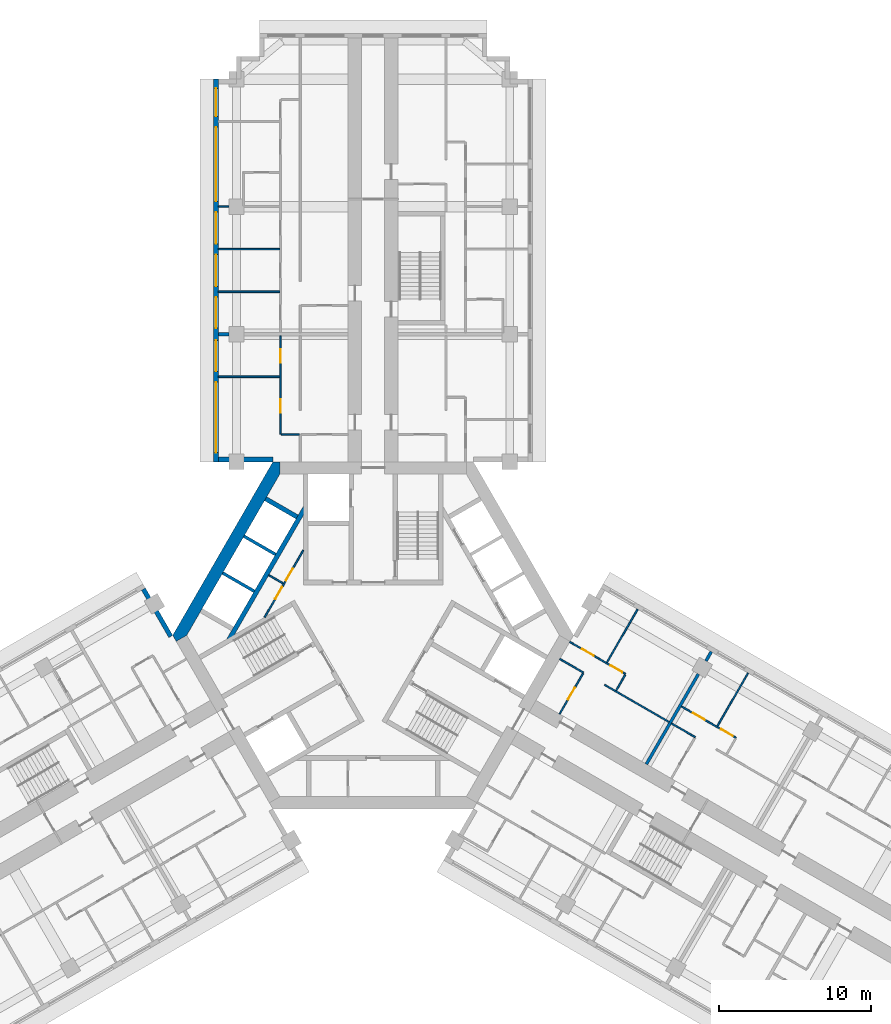
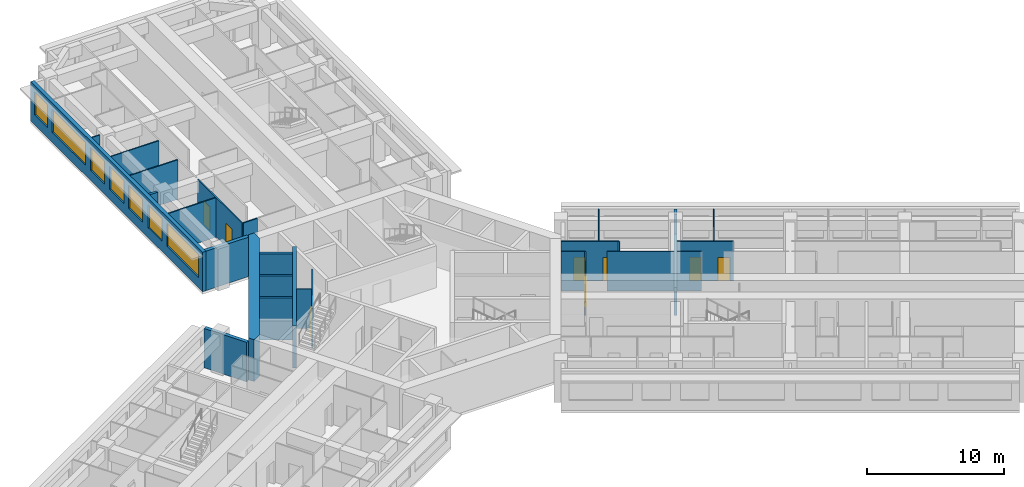
# One storey, part 7 of 13: 28 walls, 9 doors, 7 windows, 16 openings.
"""IFC4 building model written with IfcOpenShell, lengths in metres."""

from ifc_helpers import new_model, si_unit, direction, frame, frame_2d, origin, place, context, subcontext, project, spatial, polyline, rectangle, outline, extrude, material, layer, layer_set, type_object, element, fill, save


model = new_model("IFC4")

# Units and contexts
model_context = context("Model", 3, precision=1e-05, world=origin(), true_north=direction((0.0, 1.0)))
body_context = subcontext(model_context, "Body", "Model", "MODEL_VIEW")
ifc_project = project(units=[si_unit("LENGTHUNIT", "METRE"), si_unit("AREAUNIT", "SQUARE_METRE"), si_unit("VOLUMEUNIT", "CUBIC_METRE"), si_unit("PLANEANGLEUNIT", "RADIAN"), si_unit("MASSUNIT", "GRAM", prefix="KILO")], contexts=[model_context])

# Site, building, storey
site_placement = place(None, origin())
site = spatial("IfcSite", under=ifc_project, at=site_placement, CompositionType="ELEMENT")
building_placement = place(site_placement, origin())
building = spatial("IfcBuilding", under=site, at=building_placement, Name="Impinga Residences", CompositionType="ELEMENT")
storey_placement = place(building_placement, frame((0.0, 0.0, 151.0)))
storey = spatial("IfcBuildingStorey", under=building, at=storey_placement, Name="L37", CompositionType="ELEMENT", Elevation=151.0)

# Wall, openings, doors
ifc_material_1 = material(Name="Concrete blockwork", Category="masonry")
ifc_layer_1 = layer(ifc_material_1, 0.10009765625)
ifc_layer_set_1 = layer_set([ifc_layer_1], Name="CP1 core room partition, blockwork 100")
wall_type_1 = type_object("IfcWallType", Name="CP1 core room partition, blockwork 100", PredefinedType="PARTITIONING", material=ifc_layer_set_1)
wall_1_placement = place(storey_placement, frame((-7.14599609375, 1.185791015625, 0.0), z_axis=(0.0, 0.0, 1.0), x_axis=(0.499975622669, 0.866039477586, 0.0)))
wall_1 = element("IfcWall", 1, at=wall_1_placement, inside=storey, type_object=wall_type_1, Name="Core room partition, blockwork L37:CORE:high:FP", PredefinedType="PARTITIONING", context=body_context, shape_type="SweptSolid", body=[
    extrude(rectangle(XDim=5.092041015625, YDim=0.10009765625, at=frame_2d((2.5458984375, 0.0))), origin(), (0.0, 0.0, 1.0), 3.530029296875),
])
opening_1_placement = place(wall_1_placement, frame((1.39599609375, 0.0, 0.0)))
opening_1 = element("IfcOpeningElement", 2, at=opening_1_placement, cuts=wall_1, Name="Opening D6", PredefinedType="OPENING", context=body_context, shape_type="SweptSolid", body=[
    extrude(rectangle(XDim=0.89990234375, YDim=2.10009765625, at=frame_2d((0.449951171875, 1.050048828125))), frame((0.0, 0.06005859375, 0.0), z_axis=(0.0, -1.0, 0.0), x_axis=(1.0, 0.0, 0.0)), (0.0, 0.0, 1.0), 0.1201171875),
])
opening_2_placement = place(wall_1_placement, frame((2.7958984375, 0.0, 0.0)))
opening_2 = element("IfcOpeningElement", 3, at=opening_2_placement, cuts=wall_1, Name="Opening D6", PredefinedType="OPENING", context=body_context, shape_type="SweptSolid", body=[
    extrude(rectangle(XDim=0.89990234375, YDim=2.10009765625, at=frame_2d((0.449951171875, 1.050048828125))), frame((0.0, 0.06005859375, 0.0), z_axis=(0.0, -1.0, 0.0), x_axis=(1.0, 0.0, 0.0)), (0.0, 0.0, 1.0), 0.1201171875),
])
ifc_material_2 = material(Name="Timber door set", Category="wood")
door_type_1 = type_object("IfcDoorType", Name="D6 riser and store door 900x2100", OperationType="SINGLE_SWING_LEFT", PredefinedType="DOOR", material=ifc_material_2)
door_1_placement = place(opening_1_placement, origin())
door_1 = element("IfcDoor", 4, at=door_1_placement, inside=storey, type_object=door_type_1, Name="Housekeeping store door", OperationType="SINGLE_SWING_LEFT", OverallHeight=2.10009765625, OverallWidth=0.89990234375, PredefinedType="DOOR", context=body_context, shape_type="SweptSolid", body=[
    extrude(rectangle(XDim=0.89990234375, YDim=2.10009765625, at=frame_2d((0.449951171875, 1.050048828125))), frame((0.0, 0.02490234375, 0.0), z_axis=(0.0, -1.0, 0.0), x_axis=(1.0, 0.0, 0.0)), (0.0, 0.0, 1.0), 0.050048828125),
])
fill(opening_1, door_1)
door_2_placement = place(opening_2_placement, origin())
door_2 = element("IfcDoor", 5, at=door_2_placement, inside=storey, type_object=door_type_1, Name="Linen store door", OperationType="SINGLE_SWING_RIGHT", OverallHeight=2.10009765625, OverallWidth=0.89990234375, PredefinedType="DOOR", context=body_context, shape_type="SweptSolid", body=[
    extrude(rectangle(XDim=0.89990234375, YDim=2.10009765625, at=frame_2d((0.449951171875, 1.050048828125))), frame((0.0, 0.02490234375, 0.0), z_axis=(0.0, -1.0, 0.0), x_axis=(1.0, 0.0, 0.0)), (0.0, 0.0, 1.0), 0.050048828125),
])
fill(opening_2, door_2)

# Walls
wall_2_placement = place(storey_placement, frame((-5.916259765625, 3.415771484375, 0.0), z_axis=(0.0, 0.0, 1.0), x_axis=(-0.866008176907, 0.50002983664, 0.0)))
element("IfcWall", 6, at=wall_2_placement, inside=storey, type_object=wall_type_1, Name="Core room partition, blockwork L37:CORE:high:FS", PredefinedType="PARTITIONING", context=body_context, shape_type="SweptSolid", body=[
    extrude(rectangle(XDim=1.10009765625, YDim=0.10009765625, at=frame_2d((0.550048828125, 0.0))), origin(), (0.0, 0.0, 1.0), 3.530029296875),
])
ifc_material_3 = material(Name="Terracotta rainscreen on blockwork", Category="masonry")
ifc_layer_2 = layer(ifc_material_3, 0.300048828125)
ifc_layer_set_2 = layer_set([ifc_layer_2], Name="EW1 external wall, terracotta rainscreen on blockwork 300")
wall_type_2 = type_object("IfcWallType", Name="EW1 external wall, terracotta rainscreen on blockwork 300", PredefinedType="SOLIDWALL", material=ifc_layer_set_2)
wall_3_placement = place(storey_placement, frame((-15.1298828125, 3.042724609375, 0.0), z_axis=(0.0, 0.0, 1.0), x_axis=(0.500012057535, -0.866018442252, 0.0)))
element("IfcWall", 7, at=wall_3_placement, inside=storey, type_object=wall_type_2, Name="External wall EW1 L37", PredefinedType="SOLIDWALL", context=body_context, shape_type="SweptSolid", body=[
    extrude(rectangle(XDim=3.60009765625, YDim=0.300048828125, at=frame_2d((1.800048828125, 0.0))), origin(), (0.0, 0.0, 1.0), 3.530029296875),
])
wall_4_placement = place(storey_placement, frame((-6.60009765625, 11.58154296875, 0.0), z_axis=(0.0, 0.0, 1.0), x_axis=(-1.0, 0.0, 0.0)))
element("IfcWall", 8, at=wall_4_placement, inside=storey, type_object=wall_type_2, Name="External wall EW1 L37", PredefinedType="SOLIDWALL", context=body_context, shape_type="SweptSolid", body=[
    extrude(rectangle(XDim=3.599853515625, YDim=0.300048828125, at=frame_2d((1.7998046875, 0.0))), origin(), (0.0, 0.0, 1.0), 3.530029296875),
])

# Wall, openings, windows
wall_5_placement = place(storey_placement, frame((-10.35009765625, 11.431640625, 0.0), z_axis=(0.0, 0.0, 1.0), x_axis=(0.0, 1.0, 0.0)))
wall_5 = element("IfcWall", 9, at=wall_5_placement, inside=storey, type_object=wall_type_2, Name="External wall EW1 L37", PredefinedType="SOLIDWALL", context=body_context, shape_type="SweptSolid", body=[
    extrude(rectangle(XDim=25.199951171875, YDim=0.300048828125, at=frame_2d((12.60009765625, 0.0))), origin(), (0.0, 0.0, 1.0), 3.530029296875),
])
opening_3_placement = place(wall_5_placement, frame((0.60009765625, 0.0, 0.89990234375)))
opening_3 = element("IfcOpeningElement", 10, at=opening_3_placement, cuts=wall_5, Name="Opening W10", PredefinedType="OPENING", context=body_context, shape_type="SweptSolid", body=[
    extrude(rectangle(XDim=4.64990234375, YDim=2.050048828125, at=frame_2d((2.324951171875, 1.02490234375))), frame((0.0, 0.159912109375, 0.0), z_axis=(0.0, -1.0, 0.0), x_axis=(1.0, 0.0, 0.0)), (0.0, 0.0, 1.0), 0.320068359375),
])
opening_4_placement = place(wall_5_placement, frame((5.949951171875, 0.0, 0.89990234375)))
opening_4 = element("IfcOpeningElement", 11, at=opening_4_placement, cuts=wall_5, Name="Opening W14", PredefinedType="OPENING", context=body_context, shape_type="SweptSolid", body=[
    extrude(rectangle(XDim=2.050048828125, YDim=2.050048828125, at=frame_2d((1.02490234375, 1.02490234375))), frame((0.0, 0.159912109375, 0.0), z_axis=(0.0, -1.0, 0.0), x_axis=(1.0, 0.0, 0.0)), (0.0, 0.0, 1.0), 0.320068359375),
])
opening_5_placement = place(wall_5_placement, frame((8.800048828125, 0.0, 0.89990234375)))
opening_5 = element("IfcOpeningElement", 12, at=opening_5_placement, cuts=wall_5, Name="Opening W14", PredefinedType="OPENING", context=body_context, shape_type="SweptSolid", body=[
    extrude(rectangle(XDim=2.050048828125, YDim=2.050048828125, at=frame_2d((1.02490234375, 1.02490234375))), frame((0.0, 0.159912109375, 0.0), z_axis=(0.0, -1.0, 0.0), x_axis=(1.0, 0.0, 0.0)), (0.0, 0.0, 1.0), 0.320068359375),
])
opening_6_placement = place(wall_5_placement, frame((11.550048828125, 0.0, 0.89990234375)))
opening_6 = element("IfcOpeningElement", 13, at=opening_6_placement, cuts=wall_5, Name="Opening W9", PredefinedType="OPENING", context=body_context, shape_type="SweptSolid", body=[
    extrude(rectangle(XDim=2.10009765625, YDim=2.050048828125, at=frame_2d((1.050048828125, 1.02490234375))), frame((0.0, 0.159912109375, 0.0), z_axis=(0.0, -1.0, 0.0), x_axis=(1.0, 0.0, 0.0)), (0.0, 0.0, 1.0), 0.320068359375),
])
opening_7_placement = place(wall_5_placement, frame((14.35009765625, 0.0, 0.89990234375)))
opening_7 = element("IfcOpeningElement", 14, at=opening_7_placement, cuts=wall_5, Name="Opening W9", PredefinedType="OPENING", context=body_context, shape_type="SweptSolid", body=[
    extrude(rectangle(XDim=2.10009765625, YDim=2.050048828125, at=frame_2d((1.050048828125, 1.02490234375))), frame((0.0, 0.159912109375, 0.0), z_axis=(0.0, -1.0, 0.0), x_axis=(1.0, 0.0, 0.0)), (0.0, 0.0, 1.0), 0.320068359375),
])
opening_8_placement = place(wall_5_placement, frame((17.14990234375, 0.0, 0.89990234375)))
opening_8 = element("IfcOpeningElement", 15, at=opening_8_placement, cuts=wall_5, Name="Opening W16", PredefinedType="OPENING", context=body_context, shape_type="SweptSolid", body=[
    extrude(rectangle(XDim=4.89990234375, YDim=2.050048828125, at=frame_2d((2.449951171875, 1.02490234375))), frame((0.0, 0.159912109375, 0.0), z_axis=(0.0, -1.0, 0.0), x_axis=(1.0, 0.0, 0.0)), (0.0, 0.0, 1.0), 0.320068359375),
])
opening_9_placement = place(wall_5_placement, frame((22.75, 0.0, 0.89990234375)))
opening_9 = element("IfcOpeningElement", 16, at=opening_9_placement, cuts=wall_5, Name="Opening W15", PredefinedType="OPENING", context=body_context, shape_type="SweptSolid", body=[
    extrude(rectangle(XDim=1.85009765625, YDim=2.050048828125, at=frame_2d((0.925048828125, 1.02490234375))), frame((0.0, 0.159912109375, 0.0), z_axis=(0.0, -1.0, 0.0), x_axis=(1.0, 0.0, 0.0)), (0.0, 0.0, 1.0), 0.320068359375),
])
ifc_material_4 = material(Name="Aluminium window, clear double glazing", Category="aluminium")
window_type_1 = type_object("IfcWindowType", Name="W10 ribbon window 4650x2050", PartitioningType="SINGLE_PANEL", PredefinedType="WINDOW", material=ifc_material_4)
window_1_placement = place(opening_3_placement, origin())
window_1 = element("IfcWindow", 17, at=window_1_placement, inside=storey, type_object=window_type_1, Name="Window L37", OverallHeight=2.050048828125, OverallWidth=4.64990234375, PartitioningType="SINGLE_PANEL", PredefinedType="WINDOW", context=body_context, shape_type="SweptSolid", body=[
    extrude(rectangle(XDim=4.64990234375, YDim=2.050048828125, at=frame_2d((2.324951171875, 1.02490234375))), frame((0.0, 0.030029296875, 0.0), z_axis=(0.0, -1.0, 0.0), x_axis=(1.0, 0.0, 0.0)), (0.0, 0.0, 1.0), 0.06005859375),
])
fill(opening_3, window_1)
window_type_2 = type_object("IfcWindowType", Name="W14 ribbon window 2050x2050", PartitioningType="SINGLE_PANEL", PredefinedType="WINDOW", material=ifc_material_4)
window_2_placement = place(opening_4_placement, origin())
window_2 = element("IfcWindow", 18, at=window_2_placement, inside=storey, type_object=window_type_2, Name="Window L37", OverallHeight=2.050048828125, OverallWidth=2.050048828125, PartitioningType="SINGLE_PANEL", PredefinedType="WINDOW", context=body_context, shape_type="SweptSolid", body=[
    extrude(rectangle(XDim=2.050048828125, YDim=2.050048828125, at=frame_2d((1.02490234375, 1.02490234375))), frame((0.0, 0.030029296875, 0.0), z_axis=(0.0, -1.0, 0.0), x_axis=(1.0, 0.0, 0.0)), (0.0, 0.0, 1.0), 0.06005859375),
])
fill(opening_4, window_2)
window_3_placement = place(opening_5_placement, origin())
window_3 = element("IfcWindow", 19, at=window_3_placement, inside=storey, type_object=window_type_2, Name="Window L37", OverallHeight=2.050048828125, OverallWidth=2.050048828125, PartitioningType="SINGLE_PANEL", PredefinedType="WINDOW", context=body_context, shape_type="SweptSolid", body=[
    extrude(rectangle(XDim=2.050048828125, YDim=2.050048828125, at=frame_2d((1.02490234375, 1.02490234375))), frame((0.0, 0.030029296875, 0.0), z_axis=(0.0, -1.0, 0.0), x_axis=(1.0, 0.0, 0.0)), (0.0, 0.0, 1.0), 0.06005859375),
])
fill(opening_5, window_3)
window_type_3 = type_object("IfcWindowType", Name="W15 ribbon window 1850x2050", PartitioningType="SINGLE_PANEL", PredefinedType="WINDOW", material=ifc_material_4)
window_4_placement = place(opening_9_placement, origin())
window_4 = element("IfcWindow", 20, at=window_4_placement, inside=storey, type_object=window_type_3, Name="Window L37", OverallHeight=2.050048828125, OverallWidth=1.85009765625, PartitioningType="SINGLE_PANEL", PredefinedType="WINDOW", context=body_context, shape_type="SweptSolid", body=[
    extrude(rectangle(XDim=1.85009765625, YDim=2.050048828125, at=frame_2d((0.925048828125, 1.02490234375))), frame((0.0, 0.030029296875, 0.0), z_axis=(0.0, -1.0, 0.0), x_axis=(1.0, 0.0, 0.0)), (0.0, 0.0, 1.0), 0.06005859375),
])
fill(opening_9, window_4)
window_type_4 = type_object("IfcWindowType", Name="W16 ribbon window 4900x2050", PartitioningType="SINGLE_PANEL", PredefinedType="WINDOW", material=ifc_material_4)
window_5_placement = place(opening_8_placement, origin())
window_5 = element("IfcWindow", 21, at=window_5_placement, inside=storey, type_object=window_type_4, Name="Window L37", OverallHeight=2.050048828125, OverallWidth=4.89990234375, PartitioningType="SINGLE_PANEL", PredefinedType="WINDOW", context=body_context, shape_type="SweptSolid", body=[
    extrude(rectangle(XDim=4.89990234375, YDim=2.050048828125, at=frame_2d((2.449951171875, 1.02490234375))), frame((0.0, 0.030029296875, 0.0), z_axis=(0.0, -1.0, 0.0), x_axis=(1.0, 0.0, 0.0)), (0.0, 0.0, 1.0), 0.06005859375),
])
fill(opening_8, window_5)
window_type_5 = type_object("IfcWindowType", Name="W9 ribbon window 2100x2050", PartitioningType="SINGLE_PANEL", PredefinedType="WINDOW", material=ifc_material_4)
window_6_placement = place(opening_6_placement, origin())
window_6 = element("IfcWindow", 22, at=window_6_placement, inside=storey, type_object=window_type_5, Name="Window L37", OverallHeight=2.050048828125, OverallWidth=2.10009765625, PartitioningType="SINGLE_PANEL", PredefinedType="WINDOW", context=body_context, shape_type="SweptSolid", body=[
    extrude(rectangle(XDim=2.10009765625, YDim=2.050048828125, at=frame_2d((1.050048828125, 1.02490234375))), frame((0.0, 0.030029296875, 0.0), z_axis=(0.0, -1.0, 0.0), x_axis=(1.0, 0.0, 0.0)), (0.0, 0.0, 1.0), 0.06005859375),
])
fill(opening_6, window_6)
window_7_placement = place(opening_7_placement, origin())
window_7 = element("IfcWindow", 23, at=window_7_placement, inside=storey, type_object=window_type_5, Name="Window L37", OverallHeight=2.050048828125, OverallWidth=2.10009765625, PartitioningType="SINGLE_PANEL", PredefinedType="WINDOW", context=body_context, shape_type="SweptSolid", body=[
    extrude(rectangle(XDim=2.10009765625, YDim=2.050048828125, at=frame_2d((1.050048828125, 1.02490234375))), frame((0.0, 0.030029296875, 0.0), z_axis=(0.0, -1.0, 0.0), x_axis=(1.0, 0.0, 0.0)), (0.0, 0.0, 1.0), 0.06005859375),
])
fill(opening_7, window_7)

# Wall, openings, doors
ifc_material_5 = material(Name="Gypsum board on steel studs", Category="steel")
ifc_layer_3 = layer(ifc_material_5, 0.10009765625)
ifc_layer_set_3 = layer_set([ifc_layer_3], Name="Gypsum board on steel studs")
wall_type_3 = type_object("IfcWallType", Name="IP1 partition 100", PredefinedType="PARTITIONING", material=ifc_layer_set_3)
wall_6_placement = place(storey_placement, frame((-6.10009765625, 13.2314453125, 0.0), z_axis=(0.0, 0.0, 1.0), x_axis=(0.0, 1.0, 0.0)))
wall_6 = element("IfcWall", 24, at=wall_6_placement, inside=storey, type_object=wall_type_3, Name="Partition L37-NA1:STRIP", PredefinedType="PARTITIONING", context=body_context, shape_type="SweptSolid", body=[
    extrude(rectangle(XDim=6.5, YDim=0.10009765625, at=frame_2d((3.25, 0.0))), origin(), (0.0, 0.0, 1.0), 3.530029296875),
])
opening_10_placement = place(wall_6_placement, frame((1.425048828125, 0.0, 0.0)))
opening_10 = element("IfcOpeningElement", 25, at=opening_10_placement, cuts=wall_6, Name="Opening D2", PredefinedType="OPENING", context=body_context, shape_type="SweptSolid", body=[
    extrude(rectangle(XDim=0.89990234375, YDim=2.10009765625, at=frame_2d((0.449951171875, 1.050048828125))), frame((0.0, 0.06005859375, 0.0), z_axis=(0.0, -1.0, 0.0), x_axis=(1.0, 0.0, 0.0)), (0.0, 0.0, 1.0), 0.1201171875),
])
opening_11_placement = place(wall_6_placement, frame((4.72509765625, 0.0, 0.0)))
opening_11 = element("IfcOpeningElement", 26, at=opening_11_placement, cuts=wall_6, Name="Opening D2", PredefinedType="OPENING", context=body_context, shape_type="SweptSolid", body=[
    extrude(rectangle(XDim=0.89990234375, YDim=2.10009765625, at=frame_2d((0.449951171875, 1.050048828125))), frame((0.0, 0.06005859375, 0.0), z_axis=(0.0, -1.0, 0.0), x_axis=(1.0, 0.0, 0.0)), (0.0, 0.0, 1.0), 0.1201171875),
])
door_type_2 = type_object("IfcDoorType", Name="D2 internal door 900x2100", OperationType="SINGLE_SWING_LEFT", PredefinedType="DOOR", material=ifc_material_2)
door_3_placement = place(opening_10_placement, origin())
door_3 = element("IfcDoor", 27, at=door_3_placement, inside=storey, type_object=door_type_2, Name="Apartment L37-NA1 room door", OperationType="SINGLE_SWING_LEFT", OverallHeight=2.10009765625, OverallWidth=0.89990234375, PredefinedType="DOOR", context=body_context, shape_type="SweptSolid", body=[
    extrude(rectangle(XDim=0.89990234375, YDim=2.10009765625, at=frame_2d((0.449951171875, 1.050048828125))), frame((0.0, 0.02490234375, 0.0), z_axis=(0.0, -1.0, 0.0), x_axis=(1.0, 0.0, 0.0)), (0.0, 0.0, 1.0), 0.050048828125),
])
fill(opening_10, door_3)
door_4_placement = place(opening_11_placement, origin())
door_4 = element("IfcDoor", 28, at=door_4_placement, inside=storey, type_object=door_type_2, Name="Apartment L37-NA1 room door", OperationType="SINGLE_SWING_RIGHT", OverallHeight=2.10009765625, OverallWidth=0.89990234375, PredefinedType="DOOR", context=body_context, shape_type="SweptSolid", body=[
    extrude(rectangle(XDim=0.89990234375, YDim=2.10009765625, at=frame_2d((0.449951171875, 1.050048828125))), frame((0.0, 0.02490234375, 0.0), z_axis=(0.0, -1.0, 0.0), x_axis=(1.0, 0.0, 0.0)), (0.0, 0.0, 1.0), 0.050048828125),
])
fill(opening_11, door_4)

# Walls
wall_7_placement = place(storey_placement, frame((-4.85009765625, 13.2314453125, 0.0), z_axis=(0.0, 0.0, 1.0), x_axis=(-1.0, 0.0, 0.0)))
element("IfcWall", 29, at=wall_7_placement, inside=storey, type_object=wall_type_3, Name="Partition L37-NA1:SE0", PredefinedType="PARTITIONING", context=body_context, shape_type="SweptSolid", body=[
    extrude(rectangle(XDim=1.199951171875, YDim=0.10009765625, at=frame_2d((0.60009765625, 0.0))), origin(), (0.0, 0.0, 1.0), 3.530029296875),
])
for number, where, z_axis, x_axis, name in (
    (30, (-6.14990234375, 17.031494140625, 0.0), (0.0, 0.0, 1.0), (-1.0, 0.0, 0.0), "Partition L37-NA1:OB1"),
    (31, (-6.14990234375, 22.631591796875, 0.0), (0.0, 0.0, 1.0), (-1.0, 0.0, 0.0), "Partition L37-NA2:OB1"),
    (32, (-6.14990234375, 25.431640625, 0.0), (0.0, 0.0, 1.0), (-1.0, 0.0, 0.0), "Partition L37-NA2:OB2"),
):
    element("IfcWall", number, at=place(storey_placement, frame(where, z_axis=z_axis, x_axis=x_axis)), inside=storey, type_object=wall_type_3, Name=name, PredefinedType="PARTITIONING", context=body_context, shape_type="SweptSolid", body=[
        extrude(rectangle(XDim=4.050048828125, YDim=0.10009765625, at=frame_2d((2.02490234375, 0.0))), origin(), (0.0, 0.0, 1.0), 3.530029296875),
    ])
wall_8_placement = place(storey_placement, frame((-9.5, 28.2314453125, 0.0), z_axis=(0.0, 0.0, 1.0), x_axis=(-1.0, 0.0, 0.0)))
element("IfcWall", 33, at=wall_8_placement, inside=storey, type_object=wall_type_3, Name="Partition L37-NA2:OB3b", PredefinedType="PARTITIONING", context=body_context, shape_type="SweptSolid", body=[
    extrude(rectangle(XDim=0.699951171875, YDim=0.10009765625, at=frame_2d((0.35009765625, 0.0))), origin(), (0.0, 0.0, 1.0), 3.530029296875),
])
wall_9_placement = place(storey_placement, frame((12.300048828125, -1.558837890625, 0.0), z_axis=(0.0, 0.0, 1.0), x_axis=(0.866047807691, -0.499961193289, 0.0)))
element("IfcWall", 34, at=wall_9_placement, inside=storey, type_object=wall_type_3, Name="Partition L37-EA1:DIV0", PredefinedType="PARTITIONING", context=body_context, shape_type="SweptSolid", body=[
    extrude(rectangle(XDim=1.800048828125, YDim=0.10009765625, at=frame_2d((0.89990234375, 0.0))), origin(), (0.0, 0.0, 1.0), 3.530029296875),
])
wall_10_placement = place(storey_placement, frame((15.244384765625, -3.2587890625, 0.0), z_axis=(0.0, 0.0, 1.0), x_axis=(0.866036242063, -0.49998122708, 0.0)))
element("IfcWall", 35, at=wall_10_placement, inside=storey, type_object=wall_type_3, Name="Partition L37-EA1:DIV1", PredefinedType="PARTITIONING", context=body_context, shape_type="SweptSolid", body=[
    extrude(rectangle(XDim=4.900146484375, YDim=0.10009765625, at=frame_2d((2.4501953125, 0.0))), origin(), (0.0, 0.0, 1.0), 3.530029296875),
])

# Wall, openings, doors
wall_11_placement = place(storey_placement, frame((12.949951171875, -0.43310546875, 0.0), z_axis=(0.0, 0.0, 1.0), x_axis=(0.866028703517, -0.499994284652, 0.0)))
wall_11 = element("IfcWall", 36, at=wall_11_placement, inside=storey, type_object=wall_type_3, Name="Partition L37-EA1:STRIP", PredefinedType="PARTITIONING", context=body_context, shape_type="SweptSolid", body=[
    extrude(rectangle(XDim=4.25, YDim=0.10009765625, at=frame_2d((2.125, 0.0))), origin(), (0.0, 0.0, 1.0), 3.530029296875),
])
opening_12_placement = place(wall_11_placement, frame((0.925048828125, 0.0, 0.0)))
opening_12 = element("IfcOpeningElement", 37, at=opening_12_placement, cuts=wall_11, Name="Opening D2", PredefinedType="OPENING", context=body_context, shape_type="SweptSolid", body=[
    extrude(rectangle(XDim=0.89990234375, YDim=2.10009765625, at=frame_2d((0.449951171875, 1.050048828125))), frame((0.0, 0.06005859375, 0.0), z_axis=(0.0, -1.0, 0.0), x_axis=(1.0, 0.0, 0.0)), (0.0, 0.0, 1.0), 0.1201171875),
])
opening_13_placement = place(wall_11_placement, frame((3.10009765625, 0.0, 0.0)))
opening_13 = element("IfcOpeningElement", 38, at=opening_13_placement, cuts=wall_11, Name="Opening D2", PredefinedType="OPENING", context=body_context, shape_type="SweptSolid", body=[
    extrude(rectangle(XDim=0.89990234375, YDim=2.10009765625, at=frame_2d((0.449951171875, 1.050048828125))), frame((0.0, 0.06005859375, 0.0), z_axis=(0.0, -1.0, 0.0), x_axis=(1.0, 0.0, 0.0)), (0.0, 0.0, 1.0), 0.1201171875),
])
door_5_placement = place(opening_12_placement, origin())
door_5 = element("IfcDoor", 39, at=door_5_placement, inside=storey, type_object=door_type_2, Name="Apartment L37-EA1 room door", OperationType="SINGLE_SWING_LEFT", OverallHeight=2.10009765625, OverallWidth=0.89990234375, PredefinedType="DOOR", context=body_context, shape_type="SweptSolid", body=[
    extrude(rectangle(XDim=0.89990234375, YDim=2.10009765625, at=frame_2d((0.449951171875, 1.050048828125))), frame((0.0, 0.02490234375, 0.0), z_axis=(0.0, -1.0, 0.0), x_axis=(1.0, 0.0, 0.0)), (0.0, 0.0, 1.0), 0.050048828125),
])
fill(opening_12, door_5)
door_6_placement = place(opening_13_placement, origin())
door_6 = element("IfcDoor", 40, at=door_6_placement, inside=storey, type_object=door_type_2, Name="Apartment L37-EA1 room door", OperationType="SINGLE_SWING_RIGHT", OverallHeight=2.10009765625, OverallWidth=0.89990234375, PredefinedType="DOOR", context=body_context, shape_type="SweptSolid", body=[
    extrude(rectangle(XDim=0.89990234375, YDim=2.10009765625, at=frame_2d((0.449951171875, 1.050048828125))), frame((0.0, 0.02490234375, 0.0), z_axis=(0.0, -1.0, 0.0), x_axis=(1.0, 0.0, 0.0)), (0.0, 0.0, 1.0), 0.050048828125),
])
fill(opening_13, door_6)

# Wall
wall_12_placement = place(storey_placement, frame((16.005615234375, -3.640625, 0.0), z_axis=(0.0, 0.0, 1.0), x_axis=(0.500033551112, 0.866006032174, 0.0)))
element("IfcWall", 41, at=wall_12_placement, inside=storey, type_object=wall_type_3, Name="Partition L37-EA1:SE1", PredefinedType="PARTITIONING", context=body_context, shape_type="SweptSolid", body=[
    extrude(rectangle(XDim=1.2001953125, YDim=0.10009765625, at=frame_2d((0.60009765625, 0.0))), origin(), (0.0, 0.0, 1.0), 3.530029296875),
])

# Wall, opening, door
wall_13_placement = place(storey_placement, frame((12.283935546875, -5.186767578125, 0.0), z_axis=(0.0, 0.0, 1.0), x_axis=(0.499967891604, 0.866043940782, 0.0)))
wall_13 = element("IfcWall", 42, at=wall_13_placement, inside=storey, type_object=wall_type_3, Name="Partition L37-EA1:IB1", PredefinedType="PARTITIONING", context=body_context, shape_type="SweptSolid", body=[
    extrude(rectangle(XDim=3.099853515625, YDim=0.10009765625, at=frame_2d((1.5498046875, 0.0))), origin(), (0.0, 0.0, 1.0), 3.530029296875),
])
opening_14_placement = place(wall_13_placement, frame((1.10009765625, 0.0, 0.0)))
opening_14 = element("IfcOpeningElement", 43, at=opening_14_placement, cuts=wall_13, Name="Opening D2", PredefinedType="OPENING", context=body_context, shape_type="SweptSolid", body=[
    extrude(rectangle(XDim=0.89990234375, YDim=2.10009765625, at=frame_2d((0.449951171875, 1.050048828125))), frame((0.0, 0.06005859375, 0.0), z_axis=(0.0, -1.0, 0.0), x_axis=(1.0, 0.0, 0.0)), (0.0, 0.0, 1.0), 0.1201171875),
])
door_7_placement = place(opening_14_placement, origin())
door_7 = element("IfcDoor", 44, at=door_7_placement, inside=storey, type_object=door_type_2, Name="Apartment L37-EA1 bathroom door", OperationType="SINGLE_SWING_LEFT", OverallHeight=2.10009765625, OverallWidth=0.89990234375, PredefinedType="DOOR", context=body_context, shape_type="SweptSolid", body=[
    extrude(rectangle(XDim=0.89990234375, YDim=2.10009765625, at=frame_2d((0.449951171875, 1.050048828125))), frame((0.0, 0.02490234375, 0.0), z_axis=(0.0, -1.0, 0.0), x_axis=(1.0, 0.0, 0.0)), (0.0, 0.0, 1.0), 0.050048828125),
])
fill(opening_14, door_7)

# Walls
wall_14_placement = place(storey_placement, frame((15.39990234375, -1.789794921875, 0.0), z_axis=(0.0, 0.0, 1.0), x_axis=(0.499964223975, 0.866046058097, 0.0)))
element("IfcWall", 45, at=wall_14_placement, inside=storey, type_object=wall_type_3, Name="Partition L37-EA1:OB1", PredefinedType="PARTITIONING", context=body_context, shape_type="SweptSolid", body=[
    extrude(rectangle(XDim=4.050048828125, YDim=0.10009765625, at=frame_2d((2.02490234375, 0.0))), origin(), (0.0, 0.0, 1.0), 3.530029296875),
])
wall_15_placement = place(storey_placement, frame((19.6611328125, -5.808837890625, 0.0), z_axis=(0.0, 0.0, 1.0), x_axis=(0.866047807691, -0.499961193289, 0.0)))
element("IfcWall", 46, at=wall_15_placement, inside=storey, type_object=wall_type_3, Name="Partition L37-EA2:DIV0", PredefinedType="PARTITIONING", context=body_context, shape_type="SweptSolid", body=[
    extrude(rectangle(XDim=1.800048828125, YDim=0.10009765625, at=frame_2d((0.89990234375, 0.0))), origin(), (0.0, 0.0, 1.0), 3.530029296875),
])

# Wall, openings, doors
wall_16_placement = place(storey_placement, frame((20.311279296875, -4.68310546875, 0.0), z_axis=(0.0, 0.0, 1.0), x_axis=(0.86602981871, -0.499992353047, 0.0)))
wall_16 = element("IfcWall", 47, at=wall_16_placement, inside=storey, type_object=wall_type_3, Name="Partition L37-EA2:STRIP", PredefinedType="PARTITIONING", context=body_context, shape_type="SweptSolid", body=[
    extrude(rectangle(XDim=4.14990234375, YDim=0.10009765625, at=frame_2d((2.074951171875, 0.0))), origin(), (0.0, 0.0, 1.0), 3.530029296875),
])
opening_15_placement = place(wall_16_placement, frame((0.875, 0.0, 0.0)))
opening_15 = element("IfcOpeningElement", 48, at=opening_15_placement, cuts=wall_16, Name="Opening D2", PredefinedType="OPENING", context=body_context, shape_type="SweptSolid", body=[
    extrude(rectangle(XDim=0.89990234375, YDim=2.10009765625, at=frame_2d((0.449951171875, 1.050048828125))), frame((0.0, 0.06005859375, 0.0), z_axis=(0.0, -1.0, 0.0), x_axis=(1.0, 0.0, 0.0)), (0.0, 0.0, 1.0), 0.1201171875),
])
opening_16_placement = place(wall_16_placement, frame((3.0, 0.0, 0.0)))
opening_16 = element("IfcOpeningElement", 49, at=opening_16_placement, cuts=wall_16, Name="Opening D2", PredefinedType="OPENING", context=body_context, shape_type="SweptSolid", body=[
    extrude(rectangle(XDim=0.89990234375, YDim=2.10009765625, at=frame_2d((0.449951171875, 1.050048828125))), frame((0.0, 0.06005859375, 0.0), z_axis=(0.0, -1.0, 0.0), x_axis=(1.0, 0.0, 0.0)), (0.0, 0.0, 1.0), 0.1201171875),
])
door_8_placement = place(opening_15_placement, origin())
door_8 = element("IfcDoor", 50, at=door_8_placement, inside=storey, type_object=door_type_2, Name="Apartment L37-EA2 room door", OperationType="SINGLE_SWING_LEFT", OverallHeight=2.10009765625, OverallWidth=0.89990234375, PredefinedType="DOOR", context=body_context, shape_type="SweptSolid", body=[
    extrude(rectangle(XDim=0.89990234375, YDim=2.10009765625, at=frame_2d((0.449951171875, 1.050048828125))), frame((0.0, 0.02490234375, 0.0), z_axis=(0.0, -1.0, 0.0), x_axis=(1.0, 0.0, 0.0)), (0.0, 0.0, 1.0), 0.050048828125),
])
fill(opening_15, door_8)
door_9_placement = place(opening_16_placement, origin())
door_9 = element("IfcDoor", 51, at=door_9_placement, inside=storey, type_object=door_type_2, Name="Apartment L37-EA2 room door", OperationType="SINGLE_SWING_RIGHT", OverallHeight=2.10009765625, OverallWidth=0.89990234375, PredefinedType="DOOR", context=body_context, shape_type="SweptSolid", body=[
    extrude(rectangle(XDim=0.89990234375, YDim=2.10009765625, at=frame_2d((0.449951171875, 1.050048828125))), frame((0.0, 0.02490234375, 0.0), z_axis=(0.0, -1.0, 0.0), x_axis=(1.0, 0.0, 0.0)), (0.0, 0.0, 1.0), 0.050048828125),
])
fill(opening_16, door_9)

# Walls
wall_17_placement = place(storey_placement, frame((22.674560546875, -5.98974609375, 0.0), z_axis=(0.0, 0.0, 1.0), x_axis=(0.499990325971, 0.866030989016, 0.0)))
element("IfcWall", 52, at=wall_17_placement, inside=storey, type_object=wall_type_3, Name="Partition L37-EA2:OB1", PredefinedType="PARTITIONING", context=body_context, shape_type="SweptSolid", body=[
    extrude(rectangle(XDim=4.0498046875, YDim=0.10009765625, at=frame_2d((2.02490234375, 0.0))), origin(), (0.0, 0.0, 1.0), 3.530029296875),
])
ifc_layer_4 = layer(ifc_material_1, 0.199951171875)
ifc_layer_set_4 = layer_set([ifc_layer_4], Name="PW1 party wall between apartments 200")
wall_type_4 = type_object("IfcWallType", Name="PW1 party wall between apartments 200", PredefinedType="SOLIDWALL", material=ifc_layer_set_4)
wall_18_placement = place(storey_placement, frame((-9.5, 19.83154296875, 0.0), z_axis=(0.0, 0.0, 1.0), x_axis=(-1.0, 0.0, 0.0)))
element("IfcWall", 53, at=wall_18_placement, inside=storey, type_object=wall_type_4, Name="Party wall between apartments L37-NA1:PARTYb", PredefinedType="SOLIDWALL", context=body_context, shape_type="SweptSolid", body=[
    extrude(rectangle(XDim=0.699951171875, YDim=0.199951171875, at=frame_2d((0.35009765625, 0.0))), origin(), (0.0, 0.0, 1.0), 3.530029296875),
])
wall_19_placement = place(storey_placement, frame((17.99951171875, -8.48681640625, 0.0), z_axis=(0.0, 0.0, 1.0), x_axis=(0.499999086063, 0.866025931445, 0.0)))
element("IfcWall", 54, at=wall_19_placement, inside=storey, type_object=wall_type_4, Name="Party wall between apartments L37-EA1:PARTY", PredefinedType="SOLIDWALL", context=body_context, shape_type="SweptSolid", body=[
    extrude(rectangle(XDim=6.85009765625, YDim=0.199951171875, at=frame_2d((3.425048828125, 0.0))), origin(), (0.0, 0.0, 1.0), 2.47998046875),
])
wall_20_placement = place(storey_placement, frame((21.924560546875, -1.6884765625, 0.0), z_axis=(0.0, 0.0, 1.0), x_axis=(0.500114896893, 0.865959057869, 0.0)))
element("IfcWall", 55, at=wall_20_placement, inside=storey, type_object=wall_type_4, Name="Party wall between apartments L37-EA1:PARTYb", PredefinedType="SOLIDWALL", context=body_context, shape_type="SweptSolid", body=[
    extrude(rectangle(XDim=0.699951171875, YDim=0.199951171875, at=frame_2d((0.35009765625, 0.0))), origin(), (0.0, 0.0, 1.0), 3.530029296875),
])
ifc_material_6 = material(Name="Concrete C60/75", Category="concrete")
ifc_layer_5 = layer(ifc_material_6, 0.800048828125)
ifc_layer_set_5 = layer_set([ifc_layer_5], Name="Concrete C60/75")
wall_type_5 = type_object("IfcWallType", Name="SW2 core wall 800", PredefinedType="SHEAR", material=ifc_layer_set_5)
wall_21_placement = place(storey_placement, origin())
element("IfcWall", 56, at=wall_21_placement, inside=storey, type_object=wall_type_5, Name="Core wall SW2 E:EXPOSED L37", PredefinedType="SHEAR", context=body_context, shape_type="SweptSolid", body=[
    extrude(outline(polyline([(-6.60009765625, 11.431640625), (-13.199951171875, 0.0), (-12.968994140625, -0.39990234375), (-12.276123046875, 0.0), (-6.13818359375, 10.631591796875), (-6.13818359375, 11.431640625), (-6.60009765625, 11.431640625)])), origin(), (0.0, 0.0, 1.0), 3.75),
])
ifc_material_7 = material(Name="Concrete C70/85", Category="concrete")
ifc_layer_6 = layer(ifc_material_7, 0.300048828125)
ifc_layer_set_6 = layer_set([ifc_layer_6], Name="Concrete C70/85")
wall_type_6 = type_object("IfcWallType", Name="SW5 core inner wall, stairs, shafts and lobbies 300", PredefinedType="SHEAR", material=ifc_layer_set_6)
wall_22_placement = place(storey_placement, frame((-9.547607421875, -0.3740234375, 0.0), z_axis=(0.0, 0.0, 1.0), x_axis=(0.500002290144, 0.866024081565, 0.0)))
element("IfcWall", 57, at=wall_22_placement, inside=storey, type_object=wall_type_6, Name="Core wall SW5 E:BANK-FRONT L37", PredefinedType="SHEAR", context=body_context, shape_type="SweptSolid", body=[
    extrude(rectangle(XDim=10.1953125, YDim=0.300048828125, at=frame_2d((5.09765625, 0.0))), origin(), (0.0, 0.0, 1.0), 3.75),
])
wall_23_placement = place(storey_placement, frame((-5.003662109375, 7.79638671875, 0.0), z_axis=(0.0, 0.0, 1.0), x_axis=(-0.866050077142, 0.499957262057, 0.0)))
element("IfcWall", 58, at=wall_23_placement, inside=storey, type_object=wall_type_6, Name="Core wall SW5 E:BANK-R L37", PredefinedType="SHEAR", context=body_context, shape_type="SweptSolid", body=[
    extrude(rectangle(XDim=2.400146484375, YDim=0.300048828125, at=frame_2d((1.2001953125, 0.0))), origin(), (0.0, 0.0, 1.0), 3.75),
])
ifc_layer_7 = layer(ifc_material_7, 0.199951171875)
ifc_layer_set_7 = layer_set([ifc_layer_7], Name="Concrete C70/85")
wall_type_7 = type_object("IfcWallType", Name="SW6 lift shaft divider wall 200", PredefinedType="SHEAR", material=ifc_layer_set_7)
wall_24_placement = place(storey_placement, frame((-7.82861328125, 2.9033203125, 0.0), z_axis=(0.0, 0.0, 1.0), x_axis=(-0.866050077142, 0.499957262057, 0.0)))
element("IfcWall", 59, at=wall_24_placement, inside=storey, type_object=wall_type_7, Name="Core wall SW6 E:BANK-D1 L37", PredefinedType="SHEAR", context=body_context, shape_type="SweptSolid", body=[
    extrude(rectangle(XDim=2.400146484375, YDim=0.199951171875, at=frame_2d((1.2001953125, 0.0))), origin(), (0.0, 0.0, 1.0), 3.75),
])
wall_25_placement = place(storey_placement, frame((-6.4287109375, 5.328125, 0.0), z_axis=(0.0, 0.0, 1.0), x_axis=(-0.865980596518, 0.500077600433, 0.0)))
element("IfcWall", 60, at=wall_25_placement, inside=storey, type_object=wall_type_7, Name="Core wall SW6 E:BANK-D2 L37", PredefinedType="SHEAR", context=body_context, shape_type="SweptSolid", body=[
    extrude(rectangle(XDim=2.39990234375, YDim=0.199951171875, at=frame_2d((1.199951171875, 0.0))), origin(), (0.0, 0.0, 1.0), 3.75),
])

save(model, "model.ifc")
